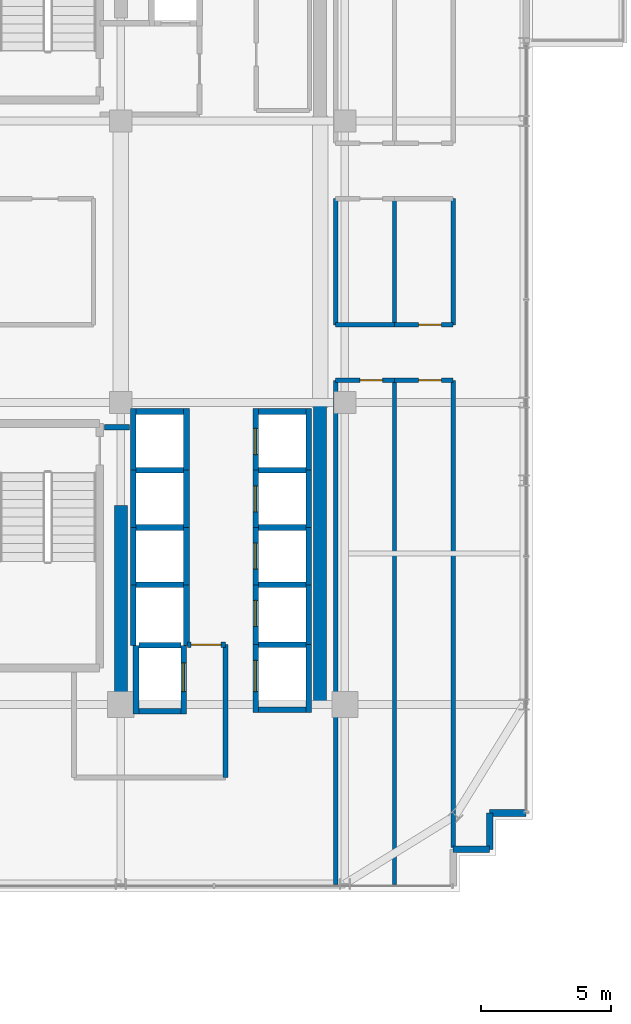
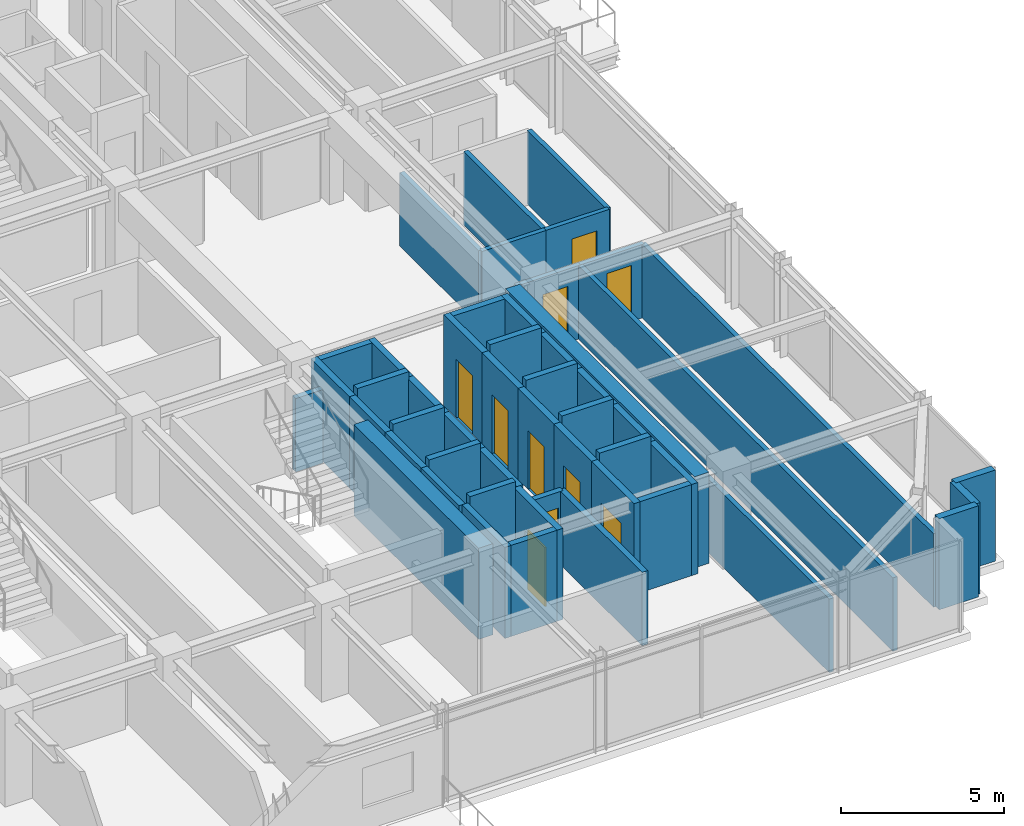
# One storey, part 29 of 34: 50 walls, 10 doors, 10 openings.
"""IFC4 building model written with IfcOpenShell, lengths in metres."""

from ifc_helpers import new_model, si_unit, direction, frame, frame_2d, origin, place, context, subcontext, project, spatial, rectangle, extrude, source, transform, mapped, material, layer, layer_set, type_object, element, fill, save


model = new_model("IFC4")

# Units and contexts
model_context = context("Model", 3, precision=1e-05, world=origin(), true_north=direction((0.0, 1.0)))
body_context = subcontext(model_context, "Body", "Model", "MODEL_VIEW")
ifc_project = project(units=[si_unit("LENGTHUNIT", "METRE"), si_unit("AREAUNIT", "SQUARE_METRE"), si_unit("VOLUMEUNIT", "CUBIC_METRE"), si_unit("PLANEANGLEUNIT", "RADIAN"), si_unit("MASSUNIT", "GRAM", prefix="KILO")], contexts=[model_context])

# Site, building, storey
site_placement = place(None, origin())
site = spatial("IfcSite", under=ifc_project, at=site_placement, CompositionType="ELEMENT")
building_placement = place(site_placement, origin())
building = spatial("IfcBuilding", under=site, at=building_placement, Name="Nahalor Promenade Grand Hotel", CompositionType="ELEMENT")
storey_placement = place(building_placement, frame((0.0, 0.0, 208.60009765625)))
storey = spatial("IfcBuildingStorey", under=building, at=storey_placement, Name="L53", CompositionType="ELEMENT", Elevation=208.60009765625)

# Walls
ifc_material_1 = material(Name="Concrete B-60 (C50/60)", Category="concrete")
ifc_layer_1 = layer(ifc_material_1, 0.5)
ifc_layer_set_1 = layer_set([ifc_layer_1], Name="Concrete B-60 (C50/60)")
wall_type_1 = type_object("IfcWallType", Name="Wall-CoreShear-500", PredefinedType="SHEAR", material=ifc_layer_set_1)
shared_shape_1 = source(origin(), body_context, "Body", "SweptSolid", [
    extrude(rectangle(XDim=7.64990234375, YDim=0.5, at=frame_2d((3.824951171875, 0.0))), origin(), (0.0, 0.0, 1.0), 3.409912109375),
])
wall_1_placement = place(storey_placement, frame((8.39990234375, -17.0, 0.0), z_axis=(0.0, 0.0, 1.0), x_axis=(0.0, 1.0, 0.0)))
element("IfcWall", 1, at=wall_1_placement, inside=storey, type_object=wall_type_1, Name="CWALL-L53-SW", PredefinedType="SHEAR", context=body_context, shape_type="MappedRepresentation", body=[
    mapped(shared_shape_1, transform((0.0, 0.0, 0.0), scale=1.0)),
])
shared_shape_2 = source(origin(), body_context, "Body", "SweptSolid", [
    extrude(rectangle(XDim=11.60009765625, YDim=0.5, at=frame_2d((5.800048828125, 0.0))), origin(), (0.0, 0.0, 1.0), 3.409912109375),
])
wall_2_placement = place(storey_placement, frame((16.050048828125, -17.0, 0.0), z_axis=(0.0, 0.0, 1.0), x_axis=(0.0, 1.0, 0.0)))
element("IfcWall", 2, at=wall_2_placement, inside=storey, type_object=wall_type_1, Name="CWALL-L53-SE", PredefinedType="SHEAR", context=body_context, shape_type="MappedRepresentation", body=[
    mapped(shared_shape_2, transform((0.0, 0.0, 0.0), scale=1.0)),
])

# Wall, opening, door
ifc_material_2 = material(Name="Concrete B-50 (C40/50)", Category="concrete")
ifc_layer_2 = layer(ifc_material_2, 0.219970703125)
ifc_layer_set_2 = layer_set([ifc_layer_2], Name="Concrete B-50 (C40/50)")
wall_type_2 = type_object("IfcWallType", Name="Wall-LiftShaft-220", PredefinedType="SHEAR", material=ifc_layer_set_2)
shared_shape_3 = source(origin(), body_context, "Body", "SweptSolid", [
    extrude(rectangle(XDim=2.360107421875, YDim=0.219970703125, at=frame_2d((1.18017578125, 0.0))), origin(), (0.0, 0.0, 1.0), 3.409912109375),
])
wall_3_placement = place(storey_placement, frame((13.580078125, -8.0, 0.0), z_axis=(0.0, 0.0, 1.0), x_axis=(0.0, 1.0, 0.0)))
wall_3 = element("IfcWall", 3, at=wall_3_placement, inside=storey, type_object=wall_type_2, Name="L53 Lift PL5 Hoistway Wall W", PredefinedType="SHEAR", context=body_context, shape_type="MappedRepresentation", body=[
    mapped(shared_shape_3, transform((0.0, 0.0, 0.0), scale=1.0)),
])
opening_1_placement = place(wall_3_placement, frame((0.60009765625, 0.0, 0.0)))
opening_1 = element("IfcOpeningElement", 4, at=opening_1_placement, cuts=wall_3, Name="Opening LD-01", PredefinedType="OPENING", context=body_context, shape_type="SweptSolid", body=[
    extrude(rectangle(XDim=1.0, YDim=2.199951171875, at=frame_2d((0.5, 1.10009765625))), frame((0.0, 0.119873046875, 0.0), z_axis=(0.0, -1.0, 0.0), x_axis=(1.0, 0.0, 0.0)), (0.0, 0.0, 1.0), 0.239990234375),
])
ifc_material_3 = material(Name="Steel S355JR", Category="steel")
door_type_1 = type_object("IfcDoorType", Name="Door-LiftLanding-1000", OperationType="DOUBLE_DOOR_SLIDING", PredefinedType="DOOR", material=ifc_material_3)
shared_shape_4 = source(origin(), body_context, "Body", "SweptSolid", [
    extrude(rectangle(XDim=1.0, YDim=2.199951171875, at=frame_2d((0.5, 1.10009765625))), frame((0.0, 0.02490234375, 0.0), z_axis=(0.0, -1.0, 0.0), x_axis=(1.0, 0.0, 0.0)), (0.0, 0.0, 1.0), 0.050048828125),
])
door_1_placement = place(opening_1_placement, origin())
door_1 = element("IfcDoor", 5, at=door_1_placement, inside=storey, type_object=door_type_1, Name="DR-LIFT-PL5-L53", OperationType="DOUBLE_DOOR_SLIDING", OverallHeight=2.199951171875, OverallWidth=1.0, PredefinedType="DOOR", context=body_context, shape_type="MappedRepresentation", body=[
    mapped(shared_shape_4, transform((0.0, 0.0, 0.0), scale=1.0)),
])
fill(opening_1, door_1)

# Walls
for number, where, z_axis, x_axis, name in (
    (6, (15.6201171875, -8.0, 0.0), (0.0, 0.0, 1.0), (0.0, 1.0, 0.0), "L53 Lift PL5 Hoistway Wall E"),
    (7, (8.8798828125, -8.0, 0.0), (0.0, 0.0, 1.0), (0.0, 1.0, 0.0), "L53 Lift PL9 Hoistway Wall W"),
    (8, (10.919921875, -8.0, 0.0), (0.0, 0.0, 1.0), (0.0, 1.0, 0.0), "L53 Lift PL9 Hoistway Wall E"),
):
    element("IfcWall", number, at=place(storey_placement, frame(where, z_axis=z_axis, x_axis=x_axis)), inside=storey, type_object=wall_type_2, Name=name, PredefinedType="SHEAR", context=body_context, shape_type="MappedRepresentation", body=[
        mapped(shared_shape_3, transform((0.0, 0.0, 0.0), scale=1.0)),
    ])
shared_shape_5 = source(origin(), body_context, "Body", "SweptSolid", [
    extrude(rectangle(XDim=1.820068359375, YDim=0.219970703125, at=frame_2d((0.91015625, 0.0))), origin(), (0.0, 0.0, 1.0), 3.409912109375),
])
for number, where, z_axis, x_axis, name in (
    (9, (13.68994140625, -5.75, 0.0), (0.0, 0.0, 1.0), (1.0, 0.0, 0.0), "L53 Lift PL5 Hoistway Wall N"),
    (10, (8.989990234375, -5.75, 0.0), (0.0, 0.0, 1.0), (1.0, 0.0, 0.0), "L53 Lift PL9 Hoistway Wall N"),
    (11, (13.68994140625, -17.199951171875, 0.0), (0.0, 0.0, 1.0), (1.0, 0.0, 0.0), "L53 Lift SV2 Hoistway Wall S"),
):
    element("IfcWall", number, at=place(storey_placement, frame(where, z_axis=z_axis, x_axis=x_axis)), inside=storey, type_object=wall_type_2, Name=name, PredefinedType="SHEAR", context=body_context, shape_type="MappedRepresentation", body=[
        mapped(shared_shape_5, transform((0.0, 0.0, 0.0), scale=1.0)),
    ])

# Wall, opening, door
shared_shape_6 = source(origin(), body_context, "Body", "SweptSolid", [
    extrude(rectangle(XDim=2.199951171875, YDim=0.219970703125, at=frame_2d((1.10009765625, 0.0))), origin(), (0.0, 0.0, 1.0), 3.409912109375),
])
wall_4_placement = place(storey_placement, frame((13.580078125, -10.199951171875, 0.0), z_axis=(0.0, 0.0, 1.0), x_axis=(0.0, 1.0, 0.0)))
wall_4 = element("IfcWall", 12, at=wall_4_placement, inside=storey, type_object=wall_type_2, Name="L53 Lift PL6 Hoistway Wall W", PredefinedType="SHEAR", context=body_context, shape_type="MappedRepresentation", body=[
    mapped(shared_shape_6, transform((0.0, 0.0, 0.0), scale=1.0)),
])
opening_2_placement = place(wall_4_placement, frame((0.60009765625, 0.0, 0.0)))
opening_2 = element("IfcOpeningElement", 13, at=opening_2_placement, cuts=wall_4, Name="Opening LD-01", PredefinedType="OPENING", context=body_context, shape_type="SweptSolid", body=[
    extrude(rectangle(XDim=1.0, YDim=2.199951171875, at=frame_2d((0.5, 1.10009765625))), frame((0.0, 0.119873046875, 0.0), z_axis=(0.0, -1.0, 0.0), x_axis=(1.0, 0.0, 0.0)), (0.0, 0.0, 1.0), 0.239990234375),
])
door_2_placement = place(opening_2_placement, origin())
door_2 = element("IfcDoor", 14, at=door_2_placement, inside=storey, type_object=door_type_1, Name="DR-LIFT-PL6-L53", OperationType="DOUBLE_DOOR_SLIDING", OverallHeight=2.199951171875, OverallWidth=1.0, PredefinedType="DOOR", context=body_context, shape_type="MappedRepresentation", body=[
    mapped(shared_shape_4, transform((0.0, 0.0, 0.0), scale=1.0)),
])
fill(opening_2, door_2)

# Wall
wall_5_placement = place(storey_placement, frame((15.6201171875, -10.199951171875, 0.0), z_axis=(0.0, 0.0, 1.0), x_axis=(0.0, 1.0, 0.0)))
element("IfcWall", 15, at=wall_5_placement, inside=storey, type_object=wall_type_2, Name="L53 Lift PL6 Hoistway Wall E", PredefinedType="SHEAR", context=body_context, shape_type="MappedRepresentation", body=[
    mapped(shared_shape_6, transform((0.0, 0.0, 0.0), scale=1.0)),
])

# Wall, opening, door
wall_6_placement = place(storey_placement, frame((13.580078125, -12.39990234375, 0.0), z_axis=(0.0, 0.0, 1.0), x_axis=(0.0, 1.0, 0.0)))
wall_6 = element("IfcWall", 16, at=wall_6_placement, inside=storey, type_object=wall_type_2, Name="L53 Lift PL7 Hoistway Wall W", PredefinedType="SHEAR", context=body_context, shape_type="MappedRepresentation", body=[
    mapped(shared_shape_6, transform((0.0, 0.0, 0.0), scale=1.0)),
])
opening_3_placement = place(wall_6_placement, frame((0.60009765625, 0.0, 0.0)))
opening_3 = element("IfcOpeningElement", 17, at=opening_3_placement, cuts=wall_6, Name="Opening LD-01", PredefinedType="OPENING", context=body_context, shape_type="SweptSolid", body=[
    extrude(rectangle(XDim=1.0, YDim=2.199951171875, at=frame_2d((0.5, 1.10009765625))), frame((0.0, 0.119873046875, 0.0), z_axis=(0.0, -1.0, 0.0), x_axis=(1.0, 0.0, 0.0)), (0.0, 0.0, 1.0), 0.239990234375),
])
door_3_placement = place(opening_3_placement, origin())
door_3 = element("IfcDoor", 18, at=door_3_placement, inside=storey, type_object=door_type_1, Name="DR-LIFT-PL7-L53", OperationType="DOUBLE_DOOR_SLIDING", OverallHeight=2.199951171875, OverallWidth=1.0, PredefinedType="DOOR", context=body_context, shape_type="MappedRepresentation", body=[
    mapped(shared_shape_4, transform((0.0, 0.0, 0.0), scale=1.0)),
])
fill(opening_3, door_3)

# Walls
for number, where, z_axis, x_axis, name in (
    (19, (15.6201171875, -12.39990234375, 0.0), (0.0, 0.0, 1.0), (0.0, 1.0, 0.0), "L53 Lift PL7 Hoistway Wall E"),
    (20, (8.8798828125, -10.199951171875, 0.0), (0.0, 0.0, 1.0), (0.0, 1.0, 0.0), "L53 Lift PL10 Hoistway Wall W"),
    (21, (10.919921875, -10.199951171875, 0.0), (0.0, 0.0, 1.0), (0.0, 1.0, 0.0), "L53 Lift PL10 Hoistway Wall E"),
    (22, (8.8798828125, -12.39990234375, 0.0), (0.0, 0.0, 1.0), (0.0, 1.0, 0.0), "L53 Lift PL11 Hoistway Wall W"),
    (23, (10.919921875, -12.39990234375, 0.0), (0.0, 0.0, 1.0), (0.0, 1.0, 0.0), "L53 Lift PL11 Hoistway Wall E"),
):
    element("IfcWall", number, at=place(storey_placement, frame(where, z_axis=z_axis, x_axis=x_axis)), inside=storey, type_object=wall_type_2, Name=name, PredefinedType="SHEAR", context=body_context, shape_type="MappedRepresentation", body=[
        mapped(shared_shape_6, transform((0.0, 0.0, 0.0), scale=1.0)),
    ])
shared_shape_7 = source(origin(), body_context, "Body", "SweptSolid", [
    extrude(rectangle(XDim=1.820068359375, YDim=0.219970703125, at=frame_2d((0.91015625, 0.0))), origin(), (0.0, 0.0, 1.0), 3.699951171875),
])
for number, where, z_axis, x_axis, name in (
    (24, (13.68994140625, -8.0, 0.0), (0.0, 0.0, 1.0), (1.0, 0.0, 0.0), "L53 Lift PL6 Hoistway Wall N"),
    (25, (13.68994140625, -10.199951171875, 0.0), (0.0, 0.0, 1.0), (1.0, 0.0, 0.0), "L53 Lift PL7 Hoistway Wall N"),
    (26, (13.68994140625, -12.39990234375, 0.0), (0.0, 0.0, 1.0), (1.0, 0.0, 0.0), "L53 Lift PL8 Hoistway Wall N"),
    (27, (8.989990234375, -8.0, 0.0), (0.0, 0.0, 1.0), (1.0, 0.0, 0.0), "L53 Lift PL10 Hoistway Wall N"),
    (28, (8.989990234375, -10.199951171875, 0.0), (0.0, 0.0, 1.0), (1.0, 0.0, 0.0), "L53 Lift PL11 Hoistway Wall N"),
    (29, (8.989990234375, -12.39990234375, 0.0), (0.0, 0.0, 1.0), (1.0, 0.0, 0.0), "L53 Lift PL12 Hoistway Wall N"),
    (30, (13.68994140625, -14.699951171875, 0.0), (0.0, 0.0, 1.0), (1.0, 0.0, 0.0), "L53 Lift SV2 Hoistway Wall N"),
):
    element("IfcWall", number, at=place(storey_placement, frame(where, z_axis=z_axis, x_axis=x_axis)), inside=storey, type_object=wall_type_2, Name=name, PredefinedType="SHEAR", context=body_context, shape_type="MappedRepresentation", body=[
        mapped(shared_shape_7, transform((0.0, 0.0, 0.0), scale=1.0)),
    ])

# Wall, opening, door
shared_shape_8 = source(origin(), body_context, "Body", "SweptSolid", [
    extrude(rectangle(XDim=2.300048828125, YDim=0.219970703125, at=frame_2d((1.14990234375, 0.0))), origin(), (0.0, 0.0, 1.0), 3.409912109375),
])
wall_7_placement = place(storey_placement, frame((13.580078125, -14.699951171875, 0.0), z_axis=(0.0, 0.0, 1.0), x_axis=(0.0, 1.0, 0.0)))
wall_7 = element("IfcWall", 31, at=wall_7_placement, inside=storey, type_object=wall_type_2, Name="L53 Lift PL8 Hoistway Wall W", PredefinedType="SHEAR", context=body_context, shape_type="MappedRepresentation", body=[
    mapped(shared_shape_8, transform((0.0, 0.0, 0.0), scale=1.0)),
])
opening_4_placement = place(wall_7_placement, frame((0.699951171875, 0.0, 0.0)))
opening_4 = element("IfcOpeningElement", 32, at=opening_4_placement, cuts=wall_7, Name="Opening LD-01", PredefinedType="OPENING", context=body_context, shape_type="SweptSolid", body=[
    extrude(rectangle(XDim=1.0, YDim=2.199951171875, at=frame_2d((0.5, 1.10009765625))), frame((0.0, 0.119873046875, 0.0), z_axis=(0.0, -1.0, 0.0), x_axis=(1.0, 0.0, 0.0)), (0.0, 0.0, 1.0), 0.239990234375),
])
door_4_placement = place(opening_4_placement, origin())
door_4 = element("IfcDoor", 33, at=door_4_placement, inside=storey, type_object=door_type_1, Name="DR-LIFT-PL8-L53", OperationType="DOUBLE_DOOR_SLIDING", OverallHeight=2.199951171875, OverallWidth=1.0, PredefinedType="DOOR", context=body_context, shape_type="MappedRepresentation", body=[
    mapped(shared_shape_4, transform((0.0, 0.0, 0.0), scale=1.0)),
])
fill(opening_4, door_4)

# Walls
wall_8_placement = place(storey_placement, frame((15.6201171875, -14.699951171875, 0.0), z_axis=(0.0, 0.0, 1.0), x_axis=(0.0, 1.0, 0.0)))
element("IfcWall", 34, at=wall_8_placement, inside=storey, type_object=wall_type_2, Name="L53 Lift PL8 Hoistway Wall E", PredefinedType="SHEAR", context=body_context, shape_type="MappedRepresentation", body=[
    mapped(shared_shape_8, transform((0.0, 0.0, 0.0), scale=1.0)),
])
shared_shape_9 = source(origin(), body_context, "Body", "SweptSolid", [
    extrude(rectangle(XDim=2.3251953125, YDim=0.219970703125, at=frame_2d((1.16259765625, 0.0))), origin(), (0.0, 0.0, 1.0), 3.409912109375),
])
for number, where, z_axis, x_axis, name in (
    (35, (8.8798828125, -14.72509765625, 0.0), (0.0, 0.0, 1.0), (0.0, 1.0, 0.0), "L53 Lift PL12 Hoistway Wall W"),
    (36, (10.919921875, -14.72509765625, 0.0), (0.0, 0.0, 1.0), (0.0, 1.0, 0.0), "L53 Lift PL12 Hoistway Wall E"),
):
    element("IfcWall", number, at=place(storey_placement, frame(where, z_axis=z_axis, x_axis=x_axis)), inside=storey, type_object=wall_type_2, Name=name, PredefinedType="SHEAR", context=body_context, shape_type="MappedRepresentation", body=[
        mapped(shared_shape_9, transform((0.0, 0.0, 0.0), scale=1.0)),
    ])
shared_shape_10 = source(origin(), body_context, "Body", "SweptSolid", [
    extrude(rectangle(XDim=2.635009765625, YDim=0.219970703125, at=frame_2d((1.3173828125, 0.0))), origin(), (0.0, 0.0, 1.0), 3.409912109375),
])
wall_9_placement = place(storey_placement, frame((8.97998046875, -17.360107421875, 0.0), z_axis=(0.0, 0.0, 1.0), x_axis=(0.0, 1.0, 0.0)))
element("IfcWall", 37, at=wall_9_placement, inside=storey, type_object=wall_type_2, Name="L53 Lift FL2 Hoistway Wall W", PredefinedType="SHEAR", context=body_context, shape_type="MappedRepresentation", body=[
    mapped(shared_shape_10, transform((0.0, 0.0, 0.0), scale=1.0)),
])

# Wall, opening, door
wall_10_placement = place(storey_placement, frame((10.820068359375, -17.360107421875, 0.0), z_axis=(0.0, 0.0, 1.0), x_axis=(0.0, 1.0, 0.0)))
wall_10 = element("IfcWall", 38, at=wall_10_placement, inside=storey, type_object=wall_type_2, Name="L53 Lift FL2 Hoistway Wall E", PredefinedType="SHEAR", context=body_context, shape_type="MappedRepresentation", body=[
    mapped(shared_shape_10, transform((0.0, 0.0, 0.0), scale=1.0)),
])
opening_5_placement = place(wall_10_placement, frame((0.860107421875, 0.0, 0.0)))
opening_5 = element("IfcOpeningElement", 39, at=opening_5_placement, cuts=wall_10, Name="Opening LD-02", PredefinedType="OPENING", context=body_context, shape_type="SweptSolid", body=[
    extrude(rectangle(XDim=1.10009765625, YDim=2.199951171875, at=frame_2d((0.550048828125, 1.10009765625))), frame((0.0, 0.119873046875, 0.0), z_axis=(0.0, -1.0, 0.0), x_axis=(1.0, 0.0, 0.0)), (0.0, 0.0, 1.0), 0.239990234375),
])
door_type_2 = type_object("IfcDoorType", Name="Door-LiftFF-1100", OperationType="DOUBLE_DOOR_SLIDING", PredefinedType="DOOR", material=ifc_material_3)
shared_shape_11 = source(origin(), body_context, "Body", "SweptSolid", [
    extrude(rectangle(XDim=1.10009765625, YDim=2.199951171875, at=frame_2d((0.550048828125, 1.10009765625))), frame((0.0, 0.02490234375, 0.0), z_axis=(0.0, -1.0, 0.0), x_axis=(1.0, 0.0, 0.0)), (0.0, 0.0, 1.0), 0.050048828125),
])
door_5_placement = place(opening_5_placement, frame((1.10009765625, 0.0, 0.0), z_axis=(0.0, 0.0, 1.0), x_axis=(-1.0, 0.0, 0.0)))
door_5 = element("IfcDoor", 40, at=door_5_placement, inside=storey, type_object=door_type_2, Name="DR-LIFT-FL2-L53", OperationType="DOUBLE_DOOR_SLIDING", OverallHeight=2.199951171875, OverallWidth=1.10009765625, PredefinedType="DOOR", context=body_context, shape_type="MappedRepresentation", body=[
    mapped(shared_shape_11, transform((0.0, 0.0, 0.0), scale=1.0)),
])
fill(opening_5, door_5)

# Walls
shared_shape_12 = source(origin(), body_context, "Body", "SweptSolid", [
    extrude(rectangle(XDim=1.619873046875, YDim=0.219970703125, at=frame_2d((0.81005859375, 0.0))), origin(), (0.0, 0.0, 1.0), 3.409912109375),
])
wall_11_placement = place(storey_placement, frame((9.090087890625, -17.25, 0.0), z_axis=(0.0, 0.0, 1.0), x_axis=(1.0, 0.0, 0.0)))
element("IfcWall", 41, at=wall_11_placement, inside=storey, type_object=wall_type_2, Name="L53 Lift FL2 Hoistway Wall S", PredefinedType="SHEAR", context=body_context, shape_type="MappedRepresentation", body=[
    mapped(shared_shape_12, transform((0.0, 0.0, 0.0), scale=1.0)),
])
shared_shape_13 = source(origin(), body_context, "Body", "SweptSolid", [
    extrude(rectangle(XDim=1.619873046875, YDim=0.219970703125, at=frame_2d((0.81005859375, 0.0))), origin(), (0.0, 0.0, 1.0), 3.699951171875),
])
wall_12_placement = place(storey_placement, frame((9.090087890625, -14.72509765625, 0.0), z_axis=(0.0, 0.0, 1.0), x_axis=(1.0, 0.0, 0.0)))
element("IfcWall", 42, at=wall_12_placement, inside=storey, type_object=wall_type_2, Name="L53 Lift FL2 Hoistway Wall N", PredefinedType="SHEAR", context=body_context, shape_type="MappedRepresentation", body=[
    mapped(shared_shape_13, transform((0.0, 0.0, 0.0), scale=1.0)),
])

# Wall, opening, door
shared_shape_14 = source(origin(), body_context, "Body", "SweptSolid", [
    extrude(rectangle(XDim=2.610107421875, YDim=0.219970703125, at=frame_2d((1.30517578125, 0.0))), origin(), (0.0, 0.0, 1.0), 3.409912109375),
])
wall_13_placement = place(storey_placement, frame((13.580078125, -17.31005859375, 0.0), z_axis=(0.0, 0.0, 1.0), x_axis=(0.0, 1.0, 0.0)))
wall_13 = element("IfcWall", 43, at=wall_13_placement, inside=storey, type_object=wall_type_2, Name="L53 Lift SV2 Hoistway Wall W", PredefinedType="SHEAR", context=body_context, shape_type="MappedRepresentation", body=[
    mapped(shared_shape_14, transform((0.0, 0.0, 0.0), scale=1.0)),
])
opening_6_placement = place(wall_13_placement, frame((0.81005859375, 0.0, 0.0)))
opening_6 = element("IfcOpeningElement", 44, at=opening_6_placement, cuts=wall_13, Name="Opening LD-03", PredefinedType="OPENING", context=body_context, shape_type="SweptSolid", body=[
    extrude(rectangle(XDim=1.199951171875, YDim=2.199951171875, at=frame_2d((0.60009765625, 1.10009765625))), frame((0.0, 0.119873046875, 0.0), z_axis=(0.0, -1.0, 0.0), x_axis=(1.0, 0.0, 0.0)), (0.0, 0.0, 1.0), 0.239990234375),
])
door_type_3 = type_object("IfcDoorType", Name="Door-LiftService-1200", OperationType="DOUBLE_DOOR_SLIDING", PredefinedType="DOOR", material=ifc_material_3)
shared_shape_15 = source(origin(), body_context, "Body", "SweptSolid", [
    extrude(rectangle(XDim=1.199951171875, YDim=2.199951171875, at=frame_2d((0.60009765625, 1.10009765625))), frame((0.0, 0.02490234375, 0.0), z_axis=(0.0, -1.0, 0.0), x_axis=(1.0, 0.0, 0.0)), (0.0, 0.0, 1.0), 0.050048828125),
])
door_6_placement = place(opening_6_placement, origin())
door_6 = element("IfcDoor", 45, at=door_6_placement, inside=storey, type_object=door_type_3, Name="DR-LIFT-SV2-L53", OperationType="DOUBLE_DOOR_SLIDING", OverallHeight=2.199951171875, OverallWidth=1.199951171875, PredefinedType="DOOR", context=body_context, shape_type="MappedRepresentation", body=[
    mapped(shared_shape_15, transform((0.0, 0.0, 0.0), scale=1.0)),
])
fill(opening_6, door_6)

# Walls
wall_14_placement = place(storey_placement, frame((15.6201171875, -17.31005859375, 0.0), z_axis=(0.0, 0.0, 1.0), x_axis=(0.0, 1.0, 0.0)))
element("IfcWall", 46, at=wall_14_placement, inside=storey, type_object=wall_type_2, Name="L53 Lift SV2 Hoistway Wall E", PredefinedType="SHEAR", context=body_context, shape_type="MappedRepresentation", body=[
    mapped(shared_shape_14, transform((0.0, 0.0, 0.0), scale=1.0)),
])
ifc_material_4 = material(Name="Concrete B-40 (C32/40)", Category="concrete")
ifc_layer_3 = layer(ifc_material_4, 0.25)
ifc_layer_set_3 = layer_set([ifc_layer_3], Name="Concrete B-40 (C32/40)")
wall_type_3 = type_object("IfcWallType", Name="Wall-BronzePier-250", PredefinedType="STANDARD", material=ifc_layer_set_3)
shared_shape_16 = source(origin(), body_context, "Body", "SweptSolid", [
    extrude(rectangle(XDim=1.39990234375, YDim=0.25, at=frame_2d((0.699951171875, 0.0))), origin(), (0.0, 0.0, 1.0), 3.409912109375),
])
wall_15_placement = place(storey_placement, frame((22.56005859375, -21.159912109375, 0.0), z_axis=(0.0, 0.0, 1.0), x_axis=(1.0, 0.0, 0.0)))
element("IfcWall", 47, at=wall_15_placement, inside=storey, type_object=wall_type_3, Name="W-L53-SR-04", PredefinedType="STANDARD", context=body_context, shape_type="MappedRepresentation", body=[
    mapped(shared_shape_16, transform((0.0, 0.0, 0.0), scale=1.0)),
])
shared_shape_17 = source(origin(), body_context, "Body", "SweptSolid", [
    extrude(rectangle(XDim=1.400146484375, YDim=0.25, at=frame_2d((0.7001953125, 0.0))), origin(), (0.0, 0.0, 1.0), 3.409912109375),
])
for number, where, z_axis, x_axis, name in (
    (48, (21.159912109375, -22.56005859375, 0.0), (0.0, 0.0, 1.0), (1.0, 0.0, 0.0), "W-L53-SR-02"),
    (49, (22.56005859375, -22.56005859375, 0.0), (0.0, 0.0, 1.0), (0.0, 1.0, 0.0), "W-L53-SR-03"),
):
    element("IfcWall", number, at=place(storey_placement, frame(where, z_axis=z_axis, x_axis=x_axis)), inside=storey, type_object=wall_type_3, Name=name, PredefinedType="STANDARD", context=body_context, shape_type="MappedRepresentation", body=[
        mapped(shared_shape_17, transform((0.0, 0.0, 0.0), scale=1.0)),
    ])
ifc_layer_4 = layer(ifc_material_4, 0.199951171875)
ifc_layer_set_4 = layer_set([ifc_layer_4], Name="Concrete B-40 (C32/40)")
wall_type_4 = type_object("IfcWallType", Name="Wall-PartFire-200", PredefinedType="PARTITIONING", material=ifc_layer_set_4)
shared_shape_18 = source(origin(), body_context, "Body", "SweptSolid", [
    extrude(rectangle(XDim=5.10009765625, YDim=0.199951171875, at=frame_2d((2.550048828125, 0.0))), origin(), (0.0, 0.0, 1.0), 2.75),
])
wall_16_placement = place(storey_placement, frame((12.419921875, -19.800048828125, 0.0), z_axis=(0.0, 0.0, 1.0), x_axis=(0.0, 1.0, 0.0)))
element("IfcWall", 50, at=wall_16_placement, inside=storey, type_object=wall_type_4, Name="W-L53-FF2-E", PredefinedType="PARTITIONING", context=body_context, shape_type="MappedRepresentation", body=[
    mapped(shared_shape_18, transform((0.0, 0.0, 0.0), scale=1.0)),
])

# Wall, opening, door
shared_shape_19 = source(origin(), body_context, "Body", "SweptSolid", [
    extrude(rectangle(XDim=1.4599609375, YDim=0.199951171875, at=frame_2d((0.72998046875, 0.0))), origin(), (0.0, 0.0, 1.0), 2.75),
])
wall_17_placement = place(storey_placement, frame((10.9599609375, -14.699951171875, 0.0), z_axis=(0.0, 0.0, 1.0), x_axis=(1.0, 0.0, 0.0)))
wall_17 = element("IfcWall", 51, at=wall_17_placement, inside=storey, type_object=wall_type_4, Name="W-L53-FF2-N1", PredefinedType="PARTITIONING", context=body_context, shape_type="MappedRepresentation", body=[
    mapped(shared_shape_19, transform((0.0, 0.0, 0.0), scale=1.0)),
])
opening_7_placement = place(wall_17_placement, frame((0.14501953125, 0.0, 0.0)))
opening_7 = element("IfcOpeningElement", 52, at=opening_7_placement, cuts=wall_17, Name="Opening D-FF1", PredefinedType="OPENING", context=body_context, shape_type="SweptSolid", body=[
    extrude(rectangle(XDim=1.14990234375, YDim=2.14990234375, at=frame_2d((0.574951171875, 1.074951171875))), frame((0.0, 0.10986328125, 0.0), z_axis=(0.0, -1.0, 0.0), x_axis=(1.0, 0.0, 0.0)), (0.0, 0.0, 1.0), 0.219970703125),
])
door_type_4 = type_object("IfcDoorType", Name="Door-FFLobby-1150", OperationType="NOTDEFINED", PredefinedType="DOOR", material=ifc_material_3)
shared_shape_20 = source(origin(), body_context, "Body", "SweptSolid", [
    extrude(rectangle(XDim=1.14990234375, YDim=2.14990234375, at=frame_2d((0.574951171875, 1.074951171875))), frame((0.0, 0.02490234375, 0.0), z_axis=(0.0, -1.0, 0.0), x_axis=(1.0, 0.0, 0.0)), (0.0, 0.0, 1.0), 0.050048828125),
])
door_7_placement = place(opening_7_placement, origin())
door_7 = element("IfcDoor", 53, at=door_7_placement, inside=storey, type_object=door_type_4, Name="DR-L53-FFL2", OperationType="SINGLE_SWING_RIGHT", OverallHeight=2.14990234375, OverallWidth=1.14990234375, PredefinedType="DOOR", context=body_context, shape_type="MappedRepresentation", body=[
    mapped(shared_shape_20, transform((0.0, 0.0, 0.0), scale=1.0)),
])
fill(opening_7, door_7)

# Wall
shared_shape_21 = source(origin(), body_context, "Body", "SweptSolid", [
    extrude(rectangle(XDim=0.969970703125, YDim=0.199951171875, at=frame_2d((0.48486328125, 0.0))), origin(), (0.0, 0.0, 1.0), 2.75),
])
wall_18_placement = place(storey_placement, frame((7.77001953125, -6.35009765625, 0.0), z_axis=(0.0, 0.0, 1.0), x_axis=(1.0, 0.0, 0.0)))
element("IfcWall", 54, at=wall_18_placement, inside=storey, type_object=wall_type_4, Name="W-L53-FF2-N2", PredefinedType="PARTITIONING", context=body_context, shape_type="MappedRepresentation", body=[
    mapped(shared_shape_21, transform((0.0, 0.0, 0.0), scale=1.0)),
])

# Wall, opening, door
ifc_material_5 = material(Name="Acoustic Mineral Gypsum", Category="gypsum")
ifc_layer_5 = layer(ifc_material_5, 0.159912109375)
ifc_layer_set_5 = layer_set([ifc_layer_5], Name="Acoustic Mineral Gypsum")
wall_type_5 = type_object("IfcWallType", Name="Wall-PartCorridor-160", PredefinedType="PARTITIONING", material=ifc_layer_set_5)
shared_shape_22 = source(origin(), body_context, "Body", "SweptSolid", [
    extrude(rectangle(XDim=2.255126953125, YDim=0.159912109375, at=frame_2d((1.12744140625, 0.0))), origin(), (0.0, 0.0, 1.0), 2.75),
])
wall_19_placement = place(storey_placement, frame((16.64990234375, -4.550048828125, 0.0), z_axis=(0.0, 0.0, 1.0), x_axis=(1.0, 0.0, 0.0)))
wall_19 = element("IfcWall", 55, at=wall_19_placement, inside=storey, type_object=wall_type_5, Name="W-L53-ESE1-N", PredefinedType="PARTITIONING", context=body_context, shape_type="MappedRepresentation", body=[
    mapped(shared_shape_22, transform((0.0, 0.0, 0.0), scale=1.0)),
])
opening_8_placement = place(wall_19_placement, frame((0.924072265625, 0.0, 0.0)))
opening_8 = element("IfcOpeningElement", 56, at=opening_8_placement, cuts=wall_19, Name="Opening D-03", PredefinedType="OPENING", context=body_context, shape_type="SweptSolid", body=[
    extrude(rectangle(XDim=0.8798828125, YDim=2.10009765625, at=frame_2d((0.43994140625, 1.050048828125))), frame((0.0, 0.08984375, 0.0), z_axis=(0.0, -1.0, 0.0), x_axis=(1.0, 0.0, 0.0)), (0.0, 0.0, 1.0), 0.179931640625),
])
ifc_material_6 = material(Name="Fire-Rated Timber Composite", Category="wood")
door_type_5 = type_object("IfcDoorType", Name="Door-BathSwing-880", OperationType="NOTDEFINED", PredefinedType="DOOR", material=ifc_material_6)
shared_shape_23 = source(origin(), body_context, "Body", "SweptSolid", [
    extrude(rectangle(XDim=0.8798828125, YDim=2.10009765625, at=frame_2d((0.43994140625, 1.050048828125))), frame((0.0, 0.02490234375, 0.0), z_axis=(0.0, -1.0, 0.0), x_axis=(1.0, 0.0, 0.0)), (0.0, 0.0, 1.0), 0.050048828125),
])
door_8_placement = place(opening_8_placement, frame((0.8798828125, 0.0, 0.0), z_axis=(0.0, 0.0, 1.0), x_axis=(-1.0, 0.0, 0.0)))
door_8 = element("IfcDoor", 57, at=door_8_placement, inside=storey, type_object=door_type_5, Name="DR-L53-ESE1", OperationType="SINGLE_SWING_LEFT", OverallHeight=2.10009765625, OverallWidth=0.8798828125, PredefinedType="DOOR", context=body_context, shape_type="MappedRepresentation", body=[
    mapped(shared_shape_23, transform((0.0, 0.0, 0.0), scale=1.0)),
])
fill(opening_8, door_8)

# Walls
wall_20_placement = place(storey_placement, frame((16.64990234375, -2.419921875, 0.0), z_axis=(0.0, 0.0, 1.0), x_axis=(1.0, 0.0, 0.0)))
element("IfcWall", 58, at=wall_20_placement, inside=storey, type_object=wall_type_5, Name="W-L53-ECW1-S", PredefinedType="PARTITIONING", context=body_context, shape_type="MappedRepresentation", body=[
    mapped(shared_shape_22, transform((0.0, 0.0, 0.0), scale=1.0)),
])
shared_shape_24 = source(origin(), body_context, "Body", "SweptSolid", [
    extrude(rectangle(XDim=19.349853515625, YDim=0.159912109375, at=frame_2d((9.6748046875, 0.0))), origin(), (0.0, 0.0, 1.0), 2.75),
])
for number, where, z_axis, x_axis, name in (
    (59, (16.64990234375, -23.89990234375, 0.0), (0.0, 0.0, 1.0), (0.0, 1.0, 0.0), "W-L53-ESE1-W"),
    (60, (18.905029296875, -23.89990234375, 0.0), (0.0, 0.0, 1.0), (0.0, 1.0, 0.0), "W-L53-ESE1-E"),
):
    element("IfcWall", number, at=place(storey_placement, frame(where, z_axis=z_axis, x_axis=x_axis)), inside=storey, type_object=wall_type_5, Name=name, PredefinedType="PARTITIONING", context=body_context, shape_type="MappedRepresentation", body=[
        mapped(shared_shape_24, transform((0.0, 0.0, 0.0), scale=1.0)),
    ])

# Wall, opening, door
shared_shape_25 = source(origin(), body_context, "Body", "SweptSolid", [
    extrude(rectangle(XDim=2.2548828125, YDim=0.159912109375, at=frame_2d((1.12744140625, 0.0))), origin(), (0.0, 0.0, 1.0), 2.75),
])
wall_21_placement = place(storey_placement, frame((18.905029296875, -4.550048828125, 0.0), z_axis=(0.0, 0.0, 1.0), x_axis=(1.0, 0.0, 0.0)))
wall_21 = element("IfcWall", 61, at=wall_21_placement, inside=storey, type_object=wall_type_5, Name="W-L53-ESE2-N", PredefinedType="PARTITIONING", context=body_context, shape_type="MappedRepresentation", body=[
    mapped(shared_shape_25, transform((0.0, 0.0, 0.0), scale=1.0)),
])
opening_9_placement = place(wall_21_placement, frame((0.924072265625, 0.0, 0.0)))
opening_9 = element("IfcOpeningElement", 62, at=opening_9_placement, cuts=wall_21, Name="Opening D-03", PredefinedType="OPENING", context=body_context, shape_type="SweptSolid", body=[
    extrude(rectangle(XDim=0.8798828125, YDim=2.10009765625, at=frame_2d((0.43994140625, 1.050048828125))), frame((0.0, 0.08984375, 0.0), z_axis=(0.0, -1.0, 0.0), x_axis=(1.0, 0.0, 0.0)), (0.0, 0.0, 1.0), 0.179931640625),
])
door_9_placement = place(opening_9_placement, frame((0.8798828125, 0.0, 0.0), z_axis=(0.0, 0.0, 1.0), x_axis=(-1.0, 0.0, 0.0)))
door_9 = element("IfcDoor", 63, at=door_9_placement, inside=storey, type_object=door_type_5, Name="DR-L53-ESE2", OperationType="SINGLE_SWING_RIGHT", OverallHeight=2.10009765625, OverallWidth=0.8798828125, PredefinedType="DOOR", context=body_context, shape_type="MappedRepresentation", body=[
    mapped(shared_shape_23, transform((0.0, 0.0, 0.0), scale=1.0)),
])
fill(opening_9, door_9)

wall_22_placement = place(storey_placement, frame((18.905029296875, -2.419921875, 0.0), z_axis=(0.0, 0.0, 1.0), x_axis=(1.0, 0.0, 0.0)))
wall_22 = element("IfcWall", 64, at=wall_22_placement, inside=storey, type_object=wall_type_5, Name="W-L53-ECW2-S", PredefinedType="PARTITIONING", context=body_context, shape_type="MappedRepresentation", body=[
    mapped(shared_shape_25, transform((0.0, 0.0, 0.0), scale=1.0)),
])
opening_10_placement = place(wall_22_placement, frame((0.924072265625, 0.0, 0.0)))
opening_10 = element("IfcOpeningElement", 65, at=opening_10_placement, cuts=wall_22, Name="Opening D-03", PredefinedType="OPENING", context=body_context, shape_type="SweptSolid", body=[
    extrude(rectangle(XDim=0.8798828125, YDim=2.10009765625, at=frame_2d((0.43994140625, 1.050048828125))), frame((0.0, 0.08984375, 0.0), z_axis=(0.0, -1.0, 0.0), x_axis=(1.0, 0.0, 0.0)), (0.0, 0.0, 1.0), 0.179931640625),
])
door_10_placement = place(opening_10_placement, origin())
door_10 = element("IfcDoor", 66, at=door_10_placement, inside=storey, type_object=door_type_5, Name="DR-L53-ECW2", OperationType="SINGLE_SWING_LEFT", OverallHeight=2.10009765625, OverallWidth=0.8798828125, PredefinedType="DOOR", context=body_context, shape_type="MappedRepresentation", body=[
    mapped(shared_shape_23, transform((0.0, 0.0, 0.0), scale=1.0)),
])
fill(opening_10, door_10)

# Walls
shared_shape_26 = source(origin(), body_context, "Body", "SweptSolid", [
    extrude(rectangle(XDim=17.929931640625, YDim=0.159912109375, at=frame_2d((8.96484375, 0.0))), origin(), (0.0, 0.0, 1.0), 2.75),
])
wall_23_placement = place(storey_placement, frame((21.159912109375, -22.47998046875, 0.0), z_axis=(0.0, 0.0, 1.0), x_axis=(0.0, 1.0, 0.0)))
element("IfcWall", 67, at=wall_23_placement, inside=storey, type_object=wall_type_5, Name="W-L53-ESE2-E", PredefinedType="PARTITIONING", context=body_context, shape_type="MappedRepresentation", body=[
    mapped(shared_shape_26, transform((0.0, 0.0, 0.0), scale=1.0)),
])
shared_shape_27 = source(origin(), body_context, "Body", "SweptSolid", [
    extrude(rectangle(XDim=4.83984375, YDim=0.159912109375, at=frame_2d((2.419921875, 0.0))), origin(), (0.0, 0.0, 1.0), 2.75),
])
for number, where, z_axis, x_axis, name in (
    (68, (16.64990234375, -2.419921875, 0.0), (0.0, 0.0, 1.0), (0.0, 1.0, 0.0), "W-L53-ECW1-W"),
    (69, (18.905029296875, -2.419921875, 0.0), (0.0, 0.0, 1.0), (0.0, 1.0, 0.0), "W-L53-ECW1-E"),
    (70, (21.159912109375, -2.419921875, 0.0), (0.0, 0.0, 1.0), (0.0, 1.0, 0.0), "W-L53-ECW2-E"),
):
    element("IfcWall", number, at=place(storey_placement, frame(where, z_axis=z_axis, x_axis=x_axis)), inside=storey, type_object=wall_type_5, Name=name, PredefinedType="PARTITIONING", context=body_context, shape_type="MappedRepresentation", body=[
        mapped(shared_shape_27, transform((0.0, 0.0, 0.0), scale=1.0)),
    ])

save(model, "model.ifc")
